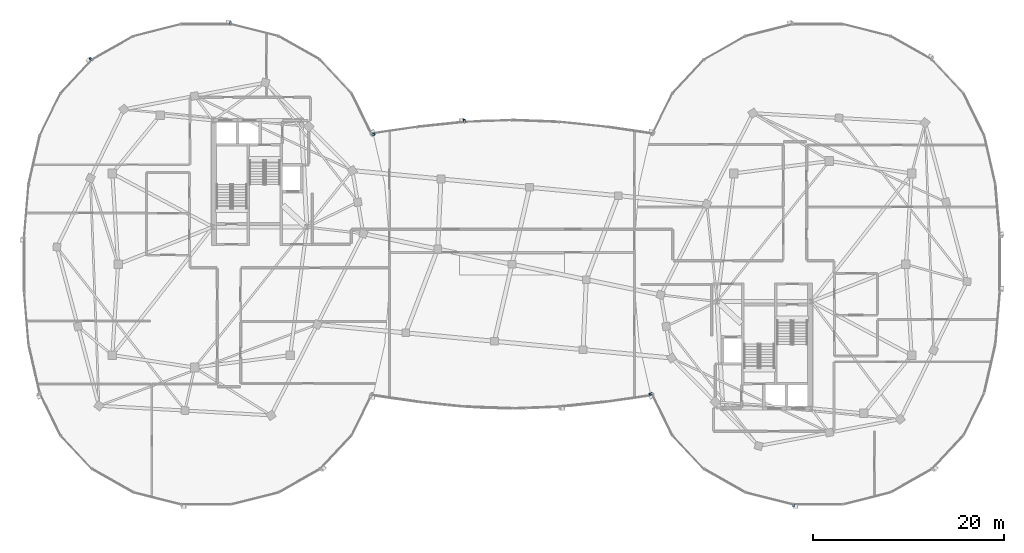
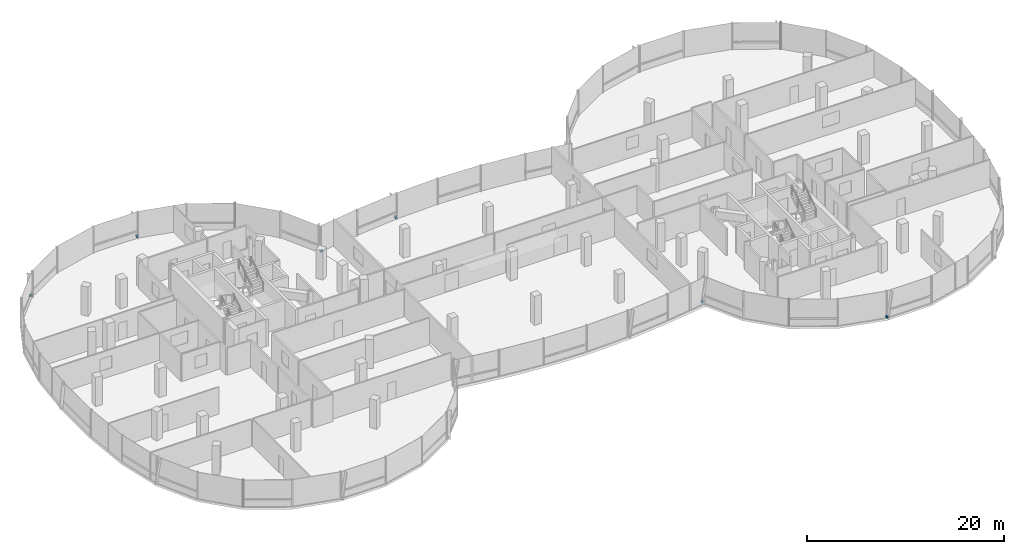
# One storey, part 19 of 26: 6 discrete accessories.
"""IFC4 building model written with IfcOpenShell, lengths in metres."""

from ifc_helpers import new_model, si_unit, direction, frame, origin, origin_2d, place, context, subcontext, project, spatial, rectangle, extrude, material, type_object, element, save


model = new_model("IFC4")

# Units and contexts
model_context = context("Model", 3, precision=1e-05, world=origin(), true_north=direction((0.0, 1.0)))
body_context = subcontext(model_context, "Body", "Model", "MODEL_VIEW")
ifc_project = project(units=[si_unit("LENGTHUNIT", "METRE"), si_unit("AREAUNIT", "SQUARE_METRE"), si_unit("VOLUMEUNIT", "CUBIC_METRE"), si_unit("PLANEANGLEUNIT", "RADIAN"), si_unit("MASSUNIT", "GRAM", prefix="KILO"), si_unit("THERMODYNAMICTEMPERATUREUNIT", "KELVIN"), si_unit("POWERUNIT", "WATT")], contexts=[model_context])

# Site, building, storey
site_placement = place(None, origin())
site = spatial("IfcSite", under=ifc_project, at=site_placement, CompositionType="ELEMENT")
building_placement = place(site_placement, origin())
building = spatial("IfcBuilding", under=site, at=building_placement, Name="Cundina Bronze Exchange", CompositionType="ELEMENT")
storey_placement = place(building_placement, frame((0.0, 0.0, 243.199951171875)))
storey = spatial("IfcBuildingStorey", under=building, at=storey_placement, Name="L64", CompositionType="ELEMENT", Elevation=243.199951171875)

# Discrete accessories
ifc_material = material(Name="Anodised Bronze Aluminium 6063-T6", Category="aluminium")
discrete_accessory_type = type_object("IfcDiscreteAccessoryType", Name="ACC-BRK-FIN", PredefinedType="BRACKET", material=ifc_material)
for number, where, z_axis, x_axis, name in (
    (1, (-14.505126953125, 13.565673828125, 0.10009765625), (0.0, 0.0, 1.0), (-0.440503330345, 0.897750976582, 0.0), "L64 Fin Support Bracket 1"),
    (2, (-29.423583984375, 25.25, 0.10009765625), (0.0, 0.0, 1.0), (-1.0, 0.0, 0.0), "L64 Fin Support Bracket 5"),
    (3, (-44.042236328125, 21.4755859375, 0.10009765625), (0.0, 0.0, 1.0), (-0.684343512797, -0.72915976061, 0.0), "L64 Fin Support Bracket 1"),
    (4, (14.505126953125, -13.565673828125, 0.10009765625), (0.0, 0.0, 1.0), (0.440503330345, -0.897750976582, 0.0), "L64 Fin Support Bracket 1"),
    (5, (29.423583984375, -25.25, 0.10009765625), (0.0, 0.0, 1.0), (1.0, 0.0, 0.0), "L64 Fin Support Bracket 5"),
    (6, (-5.003173828125, 15.01953125, 0.10009765625), (0.0, 0.0, 1.0), (-0.994672274174, -0.103087666525, 0.0), "L64 Fin Support Bracket 5"),
):
    element("IfcDiscreteAccessory", number, at=place(storey_placement, frame(where, z_axis=z_axis, x_axis=x_axis)), inside=storey, type_object=discrete_accessory_type, Name=name, PredefinedType="BRACKET", context=body_context, shape_type="SweptSolid", body=[
        extrude(rectangle(XDim=0.219970703125, YDim=0.320068359375, at=origin_2d()), origin(), (0.0, 0.0, 1.0), 0.239990234375),
    ])

save(model, "model.ifc")
